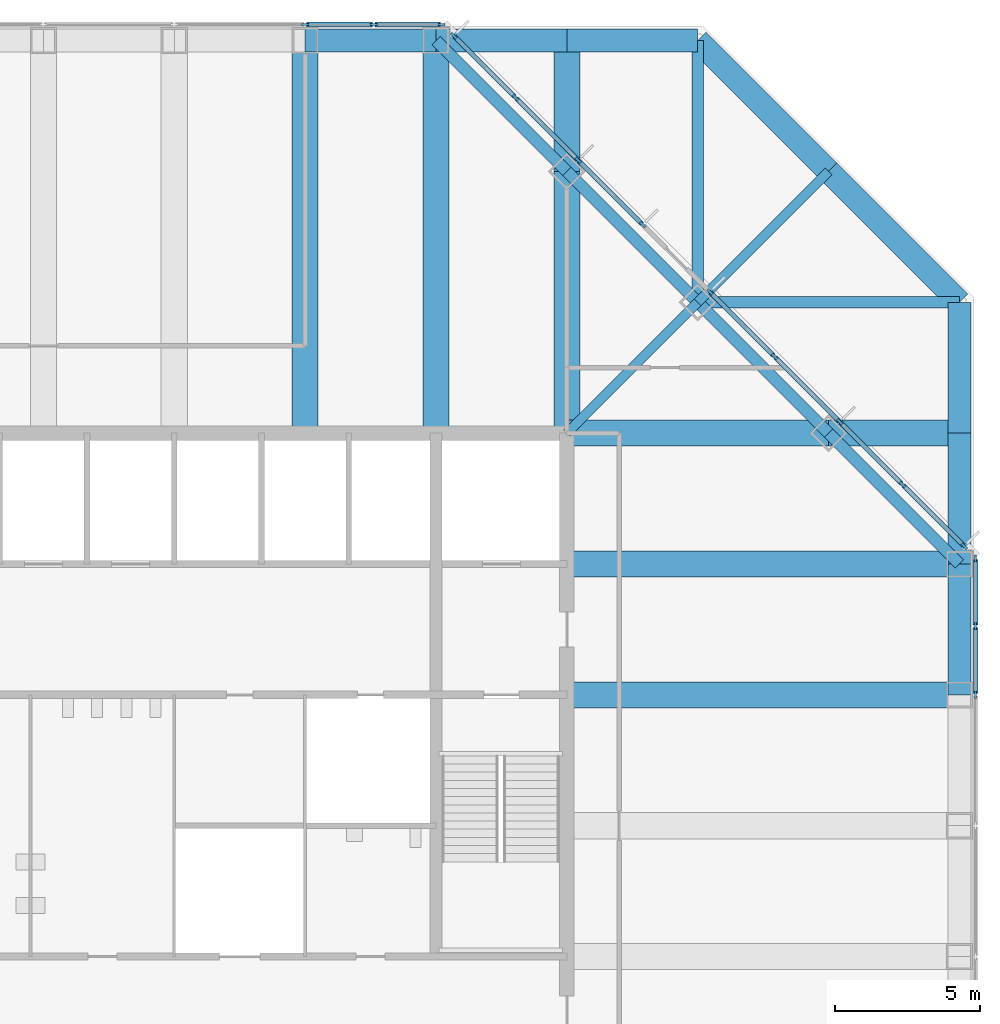
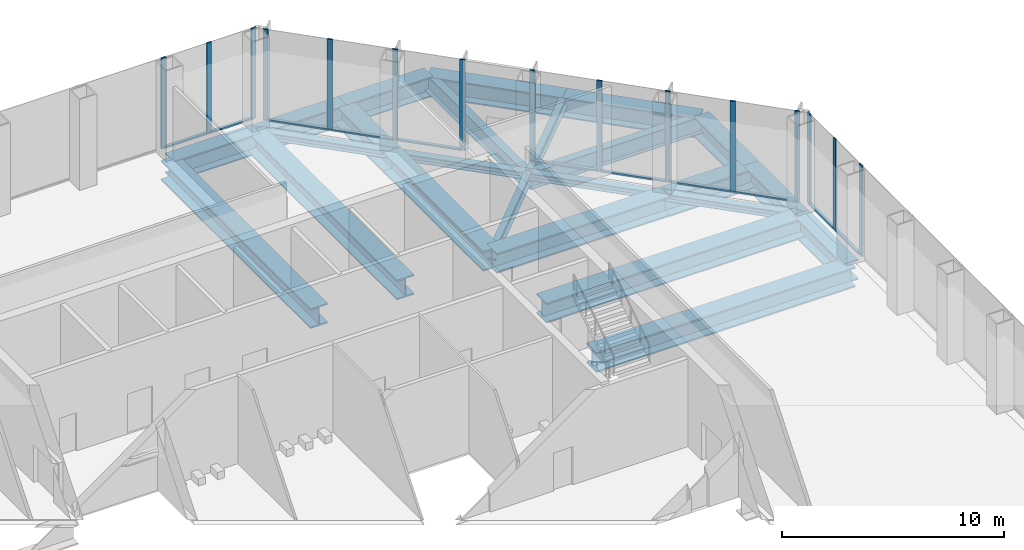
# One storey, part 5 of 12: 26 members, 24 beams, 4 elements without a shape of their own.
"""IFC4 building model written with IfcOpenShell, lengths in metres."""

from ifc_helpers import new_model, si_unit, direction, frame, origin, origin_2d, place, context, subcontext, project, spatial, rectangle, i_section, extrude, material, material_profile, profile_set, type_object, element, aggregate, save


model = new_model("IFC4")

# Units and contexts
model_context = context("Model", 3, precision=1e-05, world=origin(), true_north=direction((0.0, 1.0)))
body_context = subcontext(model_context, "Body", "Model", "MODEL_VIEW")
ifc_project = project(units=[si_unit("LENGTHUNIT", "METRE"), si_unit("AREAUNIT", "SQUARE_METRE"), si_unit("VOLUMEUNIT", "CUBIC_METRE"), si_unit("PLANEANGLEUNIT", "RADIAN"), si_unit("MASSUNIT", "GRAM", prefix="KILO")], contexts=[model_context])

# Site, building, storey
site_placement = place(None, origin())
site = spatial("IfcSite", under=ifc_project, at=site_placement, CompositionType="ELEMENT")
building_placement = place(site_placement, origin())
building = spatial("IfcBuilding", under=site, at=building_placement, Name="Corais Broadcast Tower", CompositionType="ELEMENT")
storey_placement = place(building_placement, frame((0.0, 0.0, 110.60009765625)))
storey = spatial("IfcBuildingStorey", under=building, at=storey_placement, Name="L24", CompositionType="ELEMENT", Elevation=110.60009765625)

# Beams
ifc_material_1 = material(Name="Steel ASTM A572 Grade 50", Category="steel")
ifc_material_profile_1 = material_profile(ifc_material_1, i_section(OverallWidth=0.323974609375, OverallDepth=0.611083984375, WebThickness=0.0126953125, FlangeThickness=0.01904296875, at=origin_2d()), Name="W610x155")
ifc_profile_set_1 = profile_set([ifc_material_profile_1], Name="Steel ASTM A572 Grade 50")
beam_type_1 = type_object("IfcBeamType", Name="Chamfer tie W610x155", PredefinedType="BEAM", material=ifc_profile_set_1)
beam_1_placement = place(storey_placement, frame((49.5, 49.5, -0.505615234375), z_axis=(-0.707106781187, -0.707106781187, 0.0), x_axis=(0.707106781187, -0.707106781187, 0.0)))
element("IfcBeam", 1, at=beam_1_placement, inside=storey, type_object=beam_type_1, Name="B5 M/14 to L/13", PredefinedType="BEAM", context=body_context, shape_type="SweptSolid", body=[
    extrude(i_section(OverallWidth=0.323974609375, OverallDepth=0.611083984375, WebThickness=0.0126953125, FlangeThickness=0.01904296875, at=origin_2d()), origin(), (0.0, 0.0, 1.0), 6.364013671875),
])
ifc_material_2 = material(Name="Steel ASTM A572 Grade 50", Category="steel")
ifc_material_profile_2 = material_profile(ifc_material_2, i_section(OverallWidth=0.323974609375, OverallDepth=0.611083984375, WebThickness=0.0126953125, FlangeThickness=0.01904296875, at=origin_2d()), Name="W610x155")
ifc_profile_set_2 = profile_set([ifc_material_profile_2], Name="Steel ASTM A572 Grade 50")
beam_type_2 = type_object("IfcBeamType", Name="Corner diagonal W610x155", PredefinedType="BEAM", material=ifc_profile_set_2)
beam_2_placement = place(storey_placement, frame((45.0, 45.0, -0.485595703125), z_axis=(-0.707106781187, -0.707106781187, 0.0), x_axis=(0.707106781187, -0.707106781187, 0.0)))
element("IfcBeam", 2, at=beam_2_placement, inside=storey, type_object=beam_type_2, Name="B6 L/13 to K/12", PredefinedType="BEAM", context=body_context, shape_type="SweptSolid", body=[
    extrude(i_section(OverallWidth=0.323974609375, OverallDepth=0.611083984375, WebThickness=0.0126953125, FlangeThickness=0.01904296875, at=origin_2d()), origin(), (0.0, 0.0, 1.0), 6.364013671875),
])

# Curtain wall, members
ifc_material_3 = material(Name="Aluminium and glass", Category="aluminium")
curtain_wall_type = type_object("IfcCurtainWallType", Name="Sky lobby curtain wall CW4", PredefinedType="NOTDEFINED", material=ifc_material_3)
curtain_wall_1_placement = place(storey_placement, origin())
curtain_wall_1 = element("IfcCurtainWall", 3, at=curtain_wall_1_placement, inside=storey, type_object=curtain_wall_type, Name="CW4 curtain wall L24 4", PredefinedType="NOTDEFINED")
ifc_material_4 = material(Name="Aluminium 6063-T6", Category="aluminium")
ifc_material_profile_3 = material_profile(ifc_material_4, rectangle(XDim=0.080078125, YDim=0.25, at=origin_2d()), Name="Mullion CW4 80x250")
ifc_profile_set_3 = profile_set([ifc_material_profile_3], Name="Aluminium 6063-T6")
member_type_1 = type_object("IfcMemberType", Name="Mullion CW4 80x250", PredefinedType="MULLION", material=ifc_profile_set_3)
member_1_placement = place(storey_placement, frame((31.5, 54.550048828125, 0.0), z_axis=(0.0, 0.0, 1.0), x_axis=(0.0, 1.0, 0.0)))
member_1 = element("IfcMember", 4, at=member_1_placement, type_object=member_type_1, Name="CW4 mullion 7", PredefinedType="MULLION", context=body_context, shape_type="SweptSolid", body=[
    extrude(rectangle(XDim=0.080078125, YDim=0.25, at=origin_2d()), origin(), (0.0, 0.0, 1.0), 5.0),
])
member_2_placement = place(storey_placement, frame((33.864013671875, 54.550048828125, 0.0), z_axis=(0.0, 0.0, 1.0), x_axis=(0.0, 1.0, 0.0)))
member_2 = element("IfcMember", 5, at=member_2_placement, type_object=member_type_1, Name="CW4 mullion 8", PredefinedType="MULLION", context=body_context, shape_type="SweptSolid", body=[
    extrude(rectangle(XDim=0.080078125, YDim=0.25, at=origin_2d()), origin(), (0.0, 0.0, 1.0), 5.0),
])
member_3_placement = place(storey_placement, frame((36.187744140625, 54.550048828125, 0.0), z_axis=(0.0, 0.0, 1.0), x_axis=(0.0, 1.0, 0.0)))
member_3 = element("IfcMember", 6, at=member_3_placement, type_object=member_type_1, Name="CW4 mullion 9", PredefinedType="MULLION", context=body_context, shape_type="SweptSolid", body=[
    extrude(rectangle(XDim=0.080078125, YDim=0.25, at=origin_2d()), origin(), (0.0, 0.0, 1.0), 5.0),
])

curtain_wall_2_placement = place(storey_placement, origin())
curtain_wall_2 = element("IfcCurtainWall", 7, at=curtain_wall_2_placement, inside=storey, type_object=curtain_wall_type, Name="CW4 curtain wall L24 5", PredefinedType="NOTDEFINED")
member_4_placement = place(storey_placement, frame((36.609619140625, 54.168212890625, 0.0), z_axis=(0.0, 0.0, 1.0), x_axis=(0.707106781187, 0.707106781187, 0.0)))
member_4 = element("IfcMember", 8, at=member_4_placement, type_object=member_type_1, Name="CW4 mullion 1", PredefinedType="MULLION", context=body_context, shape_type="SweptSolid", body=[
    extrude(rectangle(XDim=0.080078125, YDim=0.25, at=origin_2d()), origin(), (0.0, 0.0, 1.0), 5.0),
])
member_5_placement = place(storey_placement, frame((38.735107421875, 52.042724609375, 0.0), z_axis=(0.0, 0.0, 1.0), x_axis=(0.707106781187, 0.707106781187, 0.0)))
member_5 = element("IfcMember", 9, at=member_5_placement, type_object=member_type_1, Name="CW4 mullion 2", PredefinedType="MULLION", context=body_context, shape_type="SweptSolid", body=[
    extrude(rectangle(XDim=0.080078125, YDim=0.25, at=origin_2d()), origin(), (0.0, 0.0, 1.0), 5.0),
])
member_6_placement = place(storey_placement, frame((40.888916015625, 49.888916015625, 0.0), z_axis=(0.0, 0.0, 1.0), x_axis=(0.707106781187, 0.707106781187, 0.0)))
member_6 = element("IfcMember", 10, at=member_6_placement, type_object=member_type_1, Name="CW4 mullion 3", PredefinedType="MULLION", context=body_context, shape_type="SweptSolid", body=[
    extrude(rectangle(XDim=0.080078125, YDim=0.25, at=origin_2d()), origin(), (0.0, 0.0, 1.0), 5.0),
])
member_7_placement = place(storey_placement, frame((43.110595703125, 47.667236328125, 0.0), z_axis=(0.0, 0.0, 1.0), x_axis=(0.707106781187, 0.707106781187, 0.0)))
member_7 = element("IfcMember", 11, at=member_7_placement, type_object=member_type_1, Name="CW4 mullion 4", PredefinedType="MULLION", context=body_context, shape_type="SweptSolid", body=[
    extrude(rectangle(XDim=0.080078125, YDim=0.25, at=origin_2d()), origin(), (0.0, 0.0, 1.0), 5.0),
])

curtain_wall_3_placement = place(storey_placement, origin())
curtain_wall_3 = element("IfcCurtainWall", 12, at=curtain_wall_3_placement, inside=storey, type_object=curtain_wall_type, Name="CW4 curtain wall L24 5", PredefinedType="NOTDEFINED")
member_8_placement = place(storey_placement, frame((45.417236328125, 45.360595703125, 0.0), z_axis=(0.0, 0.0, 1.0), x_axis=(0.707106781187, 0.707106781187, 0.0)))
member_8 = element("IfcMember", 13, at=member_8_placement, type_object=member_type_1, Name="CW4 mullion 1", PredefinedType="MULLION", context=body_context, shape_type="SweptSolid", body=[
    extrude(rectangle(XDim=0.080078125, YDim=0.25, at=origin_2d()), origin(), (0.0, 0.0, 1.0), 5.0),
])
member_9_placement = place(storey_placement, frame((47.638916015625, 43.138916015625, 0.0), z_axis=(0.0, 0.0, 1.0), x_axis=(0.707106781187, 0.707106781187, 0.0)))
member_9 = element("IfcMember", 14, at=member_9_placement, type_object=member_type_1, Name="CW4 mullion 2", PredefinedType="MULLION", context=body_context, shape_type="SweptSolid", body=[
    extrude(rectangle(XDim=0.080078125, YDim=0.25, at=origin_2d()), origin(), (0.0, 0.0, 1.0), 5.0),
])
member_10_placement = place(storey_placement, frame((49.888916015625, 40.888916015625, 0.0), z_axis=(0.0, 0.0, 1.0), x_axis=(0.707106781187, 0.707106781187, 0.0)))
member_10 = element("IfcMember", 15, at=member_10_placement, type_object=member_type_1, Name="CW4 mullion 3", PredefinedType="MULLION", context=body_context, shape_type="SweptSolid", body=[
    extrude(rectangle(XDim=0.080078125, YDim=0.25, at=origin_2d()), origin(), (0.0, 0.0, 1.0), 5.0),
])
member_11_placement = place(storey_placement, frame((52.042724609375, 38.735107421875, 0.0), z_axis=(0.0, 0.0, 1.0), x_axis=(0.707106781187, 0.707106781187, 0.0)))
member_11 = element("IfcMember", 16, at=member_11_placement, type_object=member_type_1, Name="CW4 mullion 4", PredefinedType="MULLION", context=body_context, shape_type="SweptSolid", body=[
    extrude(rectangle(XDim=0.080078125, YDim=0.25, at=origin_2d()), origin(), (0.0, 0.0, 1.0), 5.0),
])
member_12_placement = place(storey_placement, frame((54.168212890625, 36.609619140625, 0.0), z_axis=(0.0, 0.0, 1.0), x_axis=(0.707106781187, 0.707106781187, 0.0)))
member_12 = element("IfcMember", 17, at=member_12_placement, type_object=member_type_1, Name="CW4 mullion 5", PredefinedType="MULLION", context=body_context, shape_type="SweptSolid", body=[
    extrude(rectangle(XDim=0.080078125, YDim=0.25, at=origin_2d()), origin(), (0.0, 0.0, 1.0), 5.0),
])

curtain_wall_4_placement = place(storey_placement, origin())
curtain_wall_4 = element("IfcCurtainWall", 18, at=curtain_wall_4_placement, inside=storey, type_object=curtain_wall_type, Name="CW4 curtain wall L24 6", PredefinedType="NOTDEFINED")
member_13_placement = place(storey_placement, frame((54.550048828125, 36.187744140625, 0.0), z_axis=(0.0, 0.0, 1.0), x_axis=(1.0, 0.0, 0.0)))
member_13 = element("IfcMember", 19, at=member_13_placement, type_object=member_type_1, Name="CW4 mullion 1", PredefinedType="MULLION", context=body_context, shape_type="SweptSolid", body=[
    extrude(rectangle(XDim=0.080078125, YDim=0.25, at=origin_2d()), origin(), (0.0, 0.0, 1.0), 5.0),
])
member_14_placement = place(storey_placement, frame((54.550048828125, 33.864013671875, 0.0), z_axis=(0.0, 0.0, 1.0), x_axis=(1.0, 0.0, 0.0)))
member_14 = element("IfcMember", 20, at=member_14_placement, type_object=member_type_1, Name="CW4 mullion 2", PredefinedType="MULLION", context=body_context, shape_type="SweptSolid", body=[
    extrude(rectangle(XDim=0.080078125, YDim=0.25, at=origin_2d()), origin(), (0.0, 0.0, 1.0), 5.0),
])
member_15_placement = place(storey_placement, frame((54.550048828125, 31.5, 0.0), z_axis=(0.0, 0.0, 1.0), x_axis=(1.0, 0.0, 0.0)))
member_15 = element("IfcMember", 21, at=member_15_placement, type_object=member_type_1, Name="CW4 mullion 3", PredefinedType="MULLION", context=body_context, shape_type="SweptSolid", body=[
    extrude(rectangle(XDim=0.080078125, YDim=0.25, at=origin_2d()), origin(), (0.0, 0.0, 1.0), 5.0),
])

# Beams
ifc_material_5 = material(Name="Steel ASTM A572 Grade 50", Category="steel")
ifc_material_profile_4 = material_profile(ifc_material_5, i_section(OverallWidth=0.800048828125, OverallDepth=1.10009765625, WebThickness=0.030029296875, FlangeThickness=0.070068359375, at=origin_2d()), Name="PG1100x1105")
ifc_profile_set_4 = profile_set([ifc_material_profile_4], Name="Steel ASTM A572 Grade 50")
beam_type_3 = type_object("IfcBeamType", Name="Pinned transfer spandrel PG1100x1105", PredefinedType="BEAM", material=ifc_profile_set_4)
for number, where, z_axis, x_axis, name in (
    (22, (45.0, 54.0, -0.75), (-1.0, 0.0, 0.0), (0.0, -1.0, 0.0), "SB9 N/13 to N/12"),
    (23, (54.0, 40.5, -0.75), (0.0, 1.0, 0.0), (-1.0, 0.0, 0.0), "SB9 K/15 to L/15"),
):
    element("IfcBeam", number, at=place(storey_placement, frame(where, z_axis=z_axis, x_axis=x_axis)), inside=storey, type_object=beam_type_3, Name=name, PredefinedType="BEAM", context=body_context, shape_type="SweptSolid", body=[
        extrude(i_section(OverallWidth=0.800048828125, OverallDepth=1.10009765625, WebThickness=0.030029296875, FlangeThickness=0.070068359375, at=origin_2d()), origin(), (0.0, 0.0, 1.0), 4.5),
    ])
ifc_material_6 = material(Name="Steel ASTM A572 Grade 50", Category="steel")
ifc_material_profile_5 = material_profile(ifc_material_6, i_section(OverallWidth=0.40087890625, OverallDepth=0.386962890625, WebThickness=0.02099609375, FlangeThickness=0.033203125, at=origin_2d()), Name="W360x262")
ifc_profile_set_5 = profile_set([ifc_material_profile_5], Name="Steel ASTM A572 Grade 50")
beam_type_4 = type_object("IfcBeamType", Name="Transfer chord W360x262", PredefinedType="BEAM", material=ifc_profile_set_5)
for number, where, z_axis, x_axis, name in (
    (24, (36.0, 54.0, -0.37353515625), (0.707106781187, -0.707106781187, 0.0), (0.707106781187, 0.707106781187, 0.0), "TC1 N/11 to M/12"),
    (25, (40.5, 49.5, -0.37353515625), (0.707106781187, -0.707106781187, 0.0), (0.707106781187, 0.707106781187, 0.0), "TC1 M/12 to L/13"),
    (26, (45.0, 45.0, -0.37353515625), (0.707106781187, -0.707106781187, 0.0), (0.707106781187, 0.707106781187, 0.0), "TC1 L/13 to K/14"),
    (27, (49.5, 40.5, -0.37353515625), (0.707106781187, -0.707106781187, 0.0), (0.707106781187, 0.707106781187, 0.0), "TC1 K/14 to J/15"),
):
    element("IfcBeam", number, at=place(storey_placement, frame(where, z_axis=z_axis, x_axis=x_axis)), inside=storey, type_object=beam_type_4, Name=name, PredefinedType="BEAM", context=body_context, shape_type="SweptSolid", body=[
        extrude(i_section(OverallWidth=0.40087890625, OverallDepth=0.386962890625, WebThickness=0.02099609375, FlangeThickness=0.033203125, at=origin_2d()), origin(), (0.0, 0.0, 1.0), 6.364013671875),
    ])
ifc_material_7 = material(Name="Steel ASTM A572 Grade 50", Category="steel")
ifc_material_profile_6 = material_profile(ifc_material_7, i_section(OverallWidth=0.408935546875, OverallDepth=0.927001953125, WebThickness=0.0166015625, FlangeThickness=0.030029296875, at=origin_2d()), Name="W920x289")
ifc_profile_set_6 = profile_set([ifc_material_profile_6], Name="Steel ASTM A572 Grade 50")
beam_type_5 = type_object("IfcBeamType", Name="Transfer corner girder W920x289", PredefinedType="BEAM", material=ifc_profile_set_6)
for number, where, z_axis, x_axis, name in (
    (28, (45.0, 54.0, -0.66357421875), (0.0, -1.0, 0.0), (1.0, 0.0, 0.0), "B14 N/13 to L/13"),
    (29, (54.0, 45.0, -0.66357421875), (-1.0, 0.0, 0.0), (0.0, -1.0, 0.0), "B14 L/15 to L/13"),
):
    element("IfcBeam", number, at=place(storey_placement, frame(where, z_axis=z_axis, x_axis=x_axis)), inside=storey, type_object=beam_type_5, Name=name, PredefinedType="BEAM", context=body_context, shape_type="SweptSolid", body=[
        extrude(i_section(OverallWidth=0.408935546875, OverallDepth=0.927001953125, WebThickness=0.0166015625, FlangeThickness=0.030029296875, at=origin_2d()), origin(), (0.0, 0.0, 1.0), 9.0),
    ])
ifc_material_8 = material(Name="Steel ASTM A572 Grade 50", Category="steel")
ifc_material_profile_7 = material_profile(ifc_material_8, i_section(OverallWidth=0.89990234375, OverallDepth=1.10009765625, WebThickness=0.030029296875, FlangeThickness=0.080078125, at=origin_2d()), Name="PG1100x1352")
ifc_profile_set_7 = profile_set([ifc_material_profile_7], Name="Steel ASTM A572 Grade 50")
beam_type_6 = type_object("IfcBeamType", Name="Transfer floor beam PG1100x1352", PredefinedType="BEAM", material=ifc_profile_set_7)
for number, where, z_axis, x_axis, name in (
    (30, (31.5, 54.0, -0.72998046875), (0.0, -1.0, 0.0), (1.0, 0.0, 0.0), "B10 N/10 to K/10"),
    (31, (36.0, 54.0, -0.72998046875), (0.0, -1.0, 0.0), (1.0, 0.0, 0.0), "B10 N/11 to K/11"),
):
    element("IfcBeam", number, at=place(storey_placement, frame(where, z_axis=z_axis, x_axis=x_axis)), inside=storey, type_object=beam_type_6, Name=name, PredefinedType="BEAM", context=body_context, shape_type="SweptSolid", body=[
        extrude(i_section(OverallWidth=0.89990234375, OverallDepth=1.10009765625, WebThickness=0.030029296875, FlangeThickness=0.080078125, at=origin_2d()), origin(), (0.0, 0.0, 1.0), 13.5),
    ])
beam_3_placement = place(storey_placement, frame((40.5, 49.5, -0.72998046875), z_axis=(0.0, -1.0, 0.0), x_axis=(1.0, 0.0, 0.0)))
element("IfcBeam", 32, at=beam_3_placement, inside=storey, type_object=beam_type_6, Name="B10 M/12 to K/12", PredefinedType="BEAM", context=body_context, shape_type="SweptSolid", body=[
    extrude(i_section(OverallWidth=0.89990234375, OverallDepth=1.10009765625, WebThickness=0.030029296875, FlangeThickness=0.080078125, at=origin_2d()), origin(), (0.0, 0.0, 1.0), 9.0),
])
beam_4_placement = place(storey_placement, frame((40.5, 54.0, -0.75), z_axis=(0.0, -1.0, 0.0), x_axis=(1.0, 0.0, 0.0)))
element("IfcBeam", 33, at=beam_4_placement, inside=storey, type_object=beam_type_6, Name="B10 N/12 to M/12", PredefinedType="BEAM", context=body_context, shape_type="SweptSolid", body=[
    extrude(i_section(OverallWidth=0.89990234375, OverallDepth=1.10009765625, WebThickness=0.030029296875, FlangeThickness=0.080078125, at=origin_2d()), origin(), (0.0, 0.0, 1.0), 4.5),
])
beam_5_placement = place(storey_placement, frame((49.5, 40.5, -0.72998046875), z_axis=(-1.0, 0.0, 0.0), x_axis=(0.0, -1.0, 0.0)))
element("IfcBeam", 34, at=beam_5_placement, inside=storey, type_object=beam_type_6, Name="B10 K/14 to K/12", PredefinedType="BEAM", context=body_context, shape_type="SweptSolid", body=[
    extrude(i_section(OverallWidth=0.89990234375, OverallDepth=1.10009765625, WebThickness=0.030029296875, FlangeThickness=0.080078125, at=origin_2d()), origin(), (0.0, 0.0, 1.0), 9.0),
])
for number, where, z_axis, x_axis, name in (
    (35, (54.0, 31.5, -0.72998046875), (-1.0, 0.0, 0.0), (0.0, -1.0, 0.0), "B10 H/15 to H/12"),
    (36, (54.0, 36.0, -0.72998046875), (-1.0, 0.0, 0.0), (0.0, -1.0, 0.0), "B10 J/15 to J/12"),
):
    element("IfcBeam", number, at=place(storey_placement, frame(where, z_axis=z_axis, x_axis=x_axis)), inside=storey, type_object=beam_type_6, Name=name, PredefinedType="BEAM", context=body_context, shape_type="SweptSolid", body=[
        extrude(i_section(OverallWidth=0.89990234375, OverallDepth=1.10009765625, WebThickness=0.030029296875, FlangeThickness=0.080078125, at=origin_2d()), origin(), (0.0, 0.0, 1.0), 13.5),
    ])
beam_6_placement = place(storey_placement, frame((54.0, 40.5, -0.75), z_axis=(-1.0, 0.0, 0.0), x_axis=(0.0, -1.0, 0.0)))
element("IfcBeam", 37, at=beam_6_placement, inside=storey, type_object=beam_type_6, Name="B10 K/15 to K/14", PredefinedType="BEAM", context=body_context, shape_type="SweptSolid", body=[
    extrude(i_section(OverallWidth=0.89990234375, OverallDepth=1.10009765625, WebThickness=0.030029296875, FlangeThickness=0.080078125, at=origin_2d()), origin(), (0.0, 0.0, 1.0), 4.5),
])
ifc_material_9 = material(Name="Steel ASTM A572 Grade 50", Category="steel")
ifc_material_profile_8 = material_profile(ifc_material_9, i_section(OverallWidth=0.800048828125, OverallDepth=1.10009765625, WebThickness=0.030029296875, FlangeThickness=0.070068359375, at=origin_2d()), Name="PG1100x1105")
ifc_profile_set_8 = profile_set([ifc_material_profile_8], Name="Steel ASTM A572 Grade 50")
beam_type_7 = type_object("IfcBeamType", Name="Transfer spandrel PG1100x1105", PredefinedType="BEAM", material=ifc_profile_set_8)
for number, where, z_axis, x_axis, name in (
    (38, (36.0, 54.0, -0.72998046875), (-1.0, 0.0, 0.0), (0.0, -1.0, 0.0), "SB8 N/11 to N/10"),
    (39, (40.5, 54.0, -0.75), (-1.0, 0.0, 0.0), (0.0, -1.0, 0.0), "SB8 N/12 to N/11"),
):
    element("IfcBeam", number, at=place(storey_placement, frame(where, z_axis=z_axis, x_axis=x_axis)), inside=storey, type_object=beam_type_7, Name=name, PredefinedType="BEAM", context=body_context, shape_type="SweptSolid", body=[
        extrude(i_section(OverallWidth=0.800048828125, OverallDepth=1.10009765625, WebThickness=0.030029296875, FlangeThickness=0.070068359375, at=origin_2d()), origin(), (0.0, 0.0, 1.0), 4.5),
    ])
beam_7_placement = place(storey_placement, frame((49.5, 49.5, -0.75), z_axis=(-0.707106781187, 0.707106781187, 0.0), x_axis=(-0.707106781187, -0.707106781187, 0.0)))
element("IfcBeam", 40, at=beam_7_placement, inside=storey, type_object=beam_type_7, Name="SB8 M/14 to N/13", PredefinedType="BEAM", context=body_context, shape_type="SweptSolid", body=[
    extrude(i_section(OverallWidth=0.800048828125, OverallDepth=1.10009765625, WebThickness=0.030029296875, FlangeThickness=0.070068359375, at=origin_2d()), origin(), (0.0, 0.0, 1.0), 6.364013671875),
])
for number, where, z_axis, x_axis, name in (
    (41, (54.0, 31.5, -0.72998046875), (0.0, 1.0, 0.0), (-1.0, 0.0, 0.0), "SB8 H/15 to J/15"),
    (42, (54.0, 36.0, -0.75), (0.0, 1.0, 0.0), (-1.0, 0.0, 0.0), "SB8 J/15 to K/15"),
):
    element("IfcBeam", number, at=place(storey_placement, frame(where, z_axis=z_axis, x_axis=x_axis)), inside=storey, type_object=beam_type_7, Name=name, PredefinedType="BEAM", context=body_context, shape_type="SweptSolid", body=[
        extrude(i_section(OverallWidth=0.800048828125, OverallDepth=1.10009765625, WebThickness=0.030029296875, FlangeThickness=0.070068359375, at=origin_2d()), origin(), (0.0, 0.0, 1.0), 4.5),
    ])
beam_8_placement = place(storey_placement, frame((54.0, 45.0, -0.75), z_axis=(-0.707106781187, 0.707106781187, 0.0), x_axis=(-0.707106781187, -0.707106781187, 0.0)))
element("IfcBeam", 43, at=beam_8_placement, inside=storey, type_object=beam_type_7, Name="SB8 L/15 to M/14", PredefinedType="BEAM", context=body_context, shape_type="SweptSolid", body=[
    extrude(i_section(OverallWidth=0.800048828125, OverallDepth=1.10009765625, WebThickness=0.030029296875, FlangeThickness=0.070068359375, at=origin_2d()), origin(), (0.0, 0.0, 1.0), 6.364013671875),
])

# Member
ifc_material_10 = material(Name="Aluminium 6063-T6", Category="aluminium")
ifc_material_profile_9 = material_profile(ifc_material_10, rectangle(XDim=0.159912109375, YDim=0.080078125, at=origin_2d()), Name="Transom CW4 80x160")
ifc_profile_set_9 = profile_set([ifc_material_profile_9], Name="Aluminium 6063-T6")
member_type_2 = type_object("IfcMemberType", Name="Transom CW4 80x160", PredefinedType="USERDEFINED", material=ifc_profile_set_9)
member_16_placement = place(storey_placement, frame((31.5400390625, 54.550048828125, 0.039794921875), z_axis=(1.0, 0.0, 0.0), x_axis=(0.0, 1.0, 0.0)))
member_16 = element("IfcMember", 44, at=member_16_placement, type_object=member_type_2, Name="CW4 transom 7.1", ObjectType="TRANSOM", PredefinedType="USERDEFINED", context=body_context, shape_type="SweptSolid", body=[
    extrude(rectangle(XDim=0.159912109375, YDim=0.080078125, at=origin_2d()), origin(), (0.0, 0.0, 1.0), 2.283935546875),
])

member_17_placement = place(storey_placement, frame((33.90380859375, 54.550048828125, 0.039794921875), z_axis=(1.0, 0.0, 0.0), x_axis=(0.0, 1.0, 0.0)))
member_17 = element("IfcMember", 45, at=member_17_placement, type_object=member_type_2, Name="CW4 transom 8.1", ObjectType="TRANSOM", PredefinedType="USERDEFINED", context=body_context, shape_type="SweptSolid", body=[
    extrude(rectangle(XDim=0.159912109375, YDim=0.080078125, at=origin_2d()), origin(), (0.0, 0.0, 1.0), 2.243896484375),
])

aggregate(curtain_wall_1, [member_1, member_2, member_3, member_16, member_17])

member_18_placement = place(storey_placement, frame((36.637939453125, 54.139892578125, 0.039794921875), z_axis=(0.707106781187, -0.707106781187, 0.0), x_axis=(0.707106781187, 0.707106781187, 0.0)))
member_18 = element("IfcMember", 46, at=member_18_placement, type_object=member_type_2, Name="CW4 transom 1.1", ObjectType="TRANSOM", PredefinedType="USERDEFINED", context=body_context, shape_type="SweptSolid", body=[
    extrude(rectangle(XDim=0.159912109375, YDim=0.080078125, at=origin_2d()), origin(), (0.0, 0.0, 1.0), 2.92578125),
])

member_19_placement = place(storey_placement, frame((38.763427734375, 52.014404296875, 0.039794921875), z_axis=(0.707106781187, -0.707106781187, 0.0), x_axis=(0.707106781187, 0.707106781187, 0.0)))
member_19 = element("IfcMember", 47, at=member_19_placement, type_object=member_type_2, Name="CW4 transom 2.1", ObjectType="TRANSOM", PredefinedType="USERDEFINED", context=body_context, shape_type="SweptSolid", body=[
    extrude(rectangle(XDim=0.159912109375, YDim=0.080078125, at=origin_2d()), origin(), (0.0, 0.0, 1.0), 2.9658203125),
])

member_20_placement = place(storey_placement, frame((40.917236328125, 49.860595703125, 0.039794921875), z_axis=(0.707106781187, -0.707106781187, 0.0), x_axis=(0.707106781187, 0.707106781187, 0.0)))
member_20 = element("IfcMember", 48, at=member_20_placement, type_object=member_type_2, Name="CW4 transom 3.1", ObjectType="TRANSOM", PredefinedType="USERDEFINED", context=body_context, shape_type="SweptSolid", body=[
    extrude(rectangle(XDim=0.159912109375, YDim=0.080078125, at=origin_2d()), origin(), (0.0, 0.0, 1.0), 3.061767578125),
])

aggregate(curtain_wall_2, [member_4, member_5, member_6, member_7, member_18, member_19, member_20])

member_21_placement = place(storey_placement, frame((45.445556640625, 45.332275390625, 0.039794921875), z_axis=(0.707106781187, -0.707106781187, 0.0), x_axis=(0.707106781187, 0.707106781187, 0.0)))
member_21 = element("IfcMember", 49, at=member_21_placement, type_object=member_type_2, Name="CW4 transom 1.1", ObjectType="TRANSOM", PredefinedType="USERDEFINED", context=body_context, shape_type="SweptSolid", body=[
    extrude(rectangle(XDim=0.159912109375, YDim=0.080078125, at=origin_2d()), origin(), (0.0, 0.0, 1.0), 3.061767578125),
])

member_22_placement = place(storey_placement, frame((47.667236328125, 43.110595703125, 0.039794921875), z_axis=(0.707106781187, -0.707106781187, 0.0), x_axis=(0.707106781187, 0.707106781187, 0.0)))
member_22 = element("IfcMember", 50, at=member_22_placement, type_object=member_type_2, Name="CW4 transom 2.1", ObjectType="TRANSOM", PredefinedType="USERDEFINED", context=body_context, shape_type="SweptSolid", body=[
    extrude(rectangle(XDim=0.159912109375, YDim=0.080078125, at=origin_2d()), origin(), (0.0, 0.0, 1.0), 3.101806640625),
])

member_23_placement = place(storey_placement, frame((49.917236328125, 40.860595703125, 0.039794921875), z_axis=(0.707106781187, -0.707106781187, 0.0), x_axis=(0.707106781187, 0.707106781187, 0.0)))
member_23 = element("IfcMember", 51, at=member_23_placement, type_object=member_type_2, Name="CW4 transom 3.1", ObjectType="TRANSOM", PredefinedType="USERDEFINED", context=body_context, shape_type="SweptSolid", body=[
    extrude(rectangle(XDim=0.159912109375, YDim=0.080078125, at=origin_2d()), origin(), (0.0, 0.0, 1.0), 2.9658203125),
])

member_24_placement = place(storey_placement, frame((52.071044921875, 38.706787109375, 0.039794921875), z_axis=(0.707106781187, -0.707106781187, 0.0), x_axis=(0.707106781187, 0.707106781187, 0.0)))
member_24 = element("IfcMember", 52, at=member_24_placement, type_object=member_type_2, Name="CW4 transom 4.1", ObjectType="TRANSOM", PredefinedType="USERDEFINED", context=body_context, shape_type="SweptSolid", body=[
    extrude(rectangle(XDim=0.159912109375, YDim=0.080078125, at=origin_2d()), origin(), (0.0, 0.0, 1.0), 2.92578125),
])

aggregate(curtain_wall_3, [member_8, member_9, member_10, member_11, member_12, member_21, member_22, member_23, member_24])

member_25_placement = place(storey_placement, frame((54.550048828125, 36.147705078125, 0.039794921875), z_axis=(0.0, -1.0, 0.0), x_axis=(1.0, 0.0, 0.0)))
member_25 = element("IfcMember", 53, at=member_25_placement, type_object=member_type_2, Name="CW4 transom 1.1", ObjectType="TRANSOM", PredefinedType="USERDEFINED", context=body_context, shape_type="SweptSolid", body=[
    extrude(rectangle(XDim=0.159912109375, YDim=0.080078125, at=origin_2d()), origin(), (0.0, 0.0, 1.0), 2.243896484375),
])

member_26_placement = place(storey_placement, frame((54.550048828125, 33.823974609375, 0.039794921875), z_axis=(0.0, -1.0, 0.0), x_axis=(1.0, 0.0, 0.0)))
member_26 = element("IfcMember", 54, at=member_26_placement, type_object=member_type_2, Name="CW4 transom 2.1", ObjectType="TRANSOM", PredefinedType="USERDEFINED", context=body_context, shape_type="SweptSolid", body=[
    extrude(rectangle(XDim=0.159912109375, YDim=0.080078125, at=origin_2d()), origin(), (0.0, 0.0, 1.0), 2.283935546875),
])

aggregate(curtain_wall_4, [member_13, member_14, member_15, member_25, member_26])

save(model, "model.ifc")
